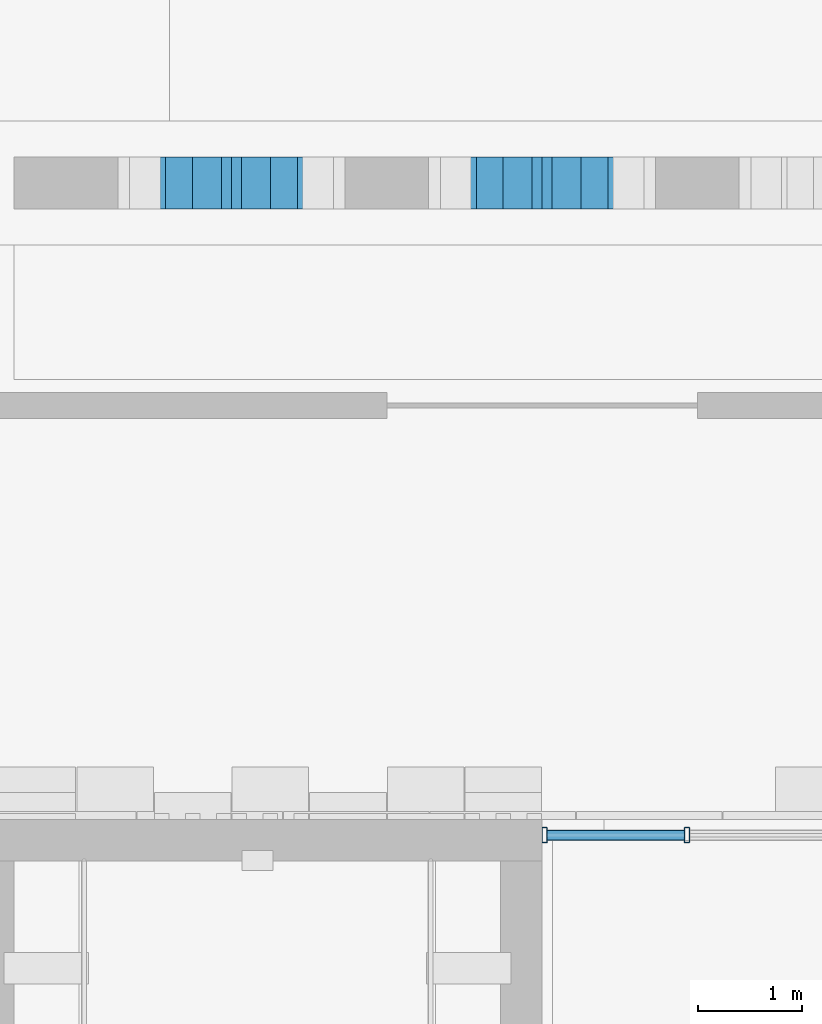
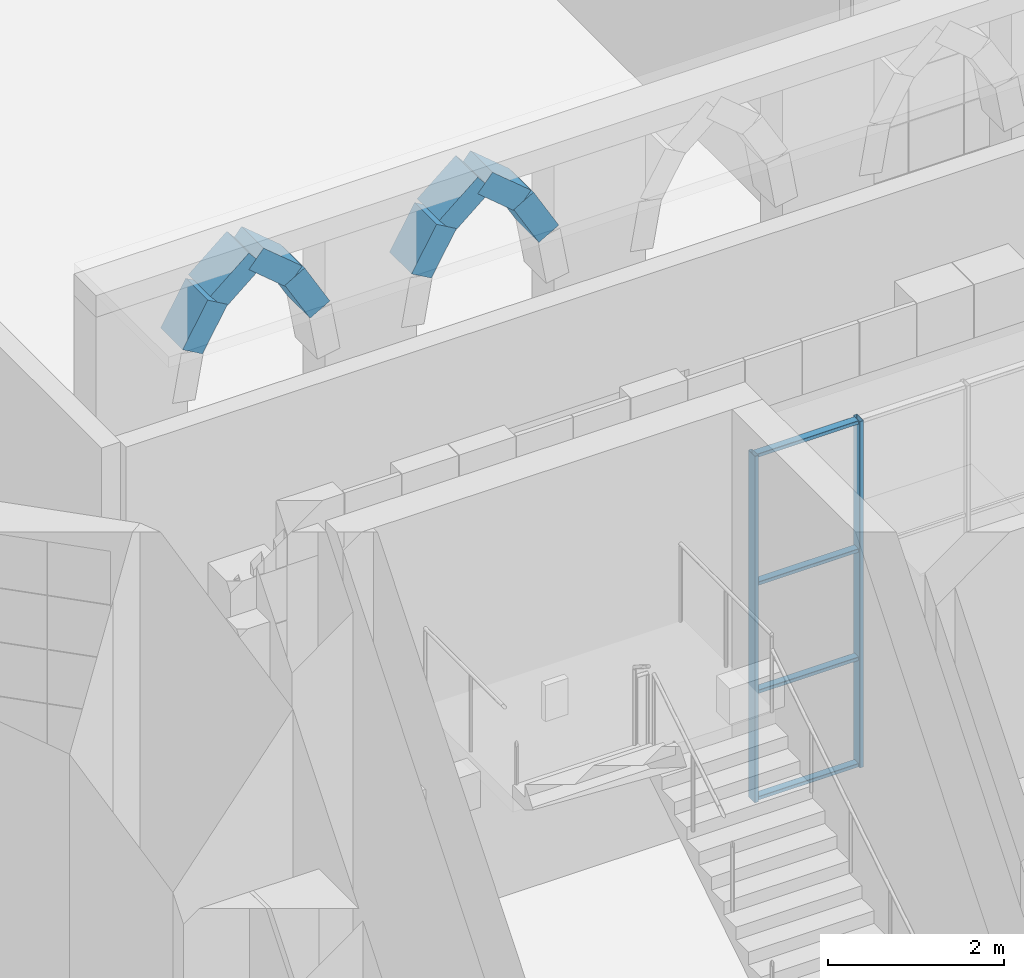
# One storey, part 5 of 125: 14 members, 1 element without a shape of its own.
"""IFC4 building model written with IfcOpenShell, lengths in metres."""

from ifc_helpers import new_model, si_unit, direction, frame, origin, origin_2d, place, context, subcontext, project, spatial, rectangle, hollow_rectangle, extrude, material, material_profile, profile_set, type_object, element, aggregate, save


model = new_model("IFC4")

# Units and contexts
model_context = context("Model", 3, precision=1e-05, world=origin(), true_north=direction((0.0, 1.0)))
body_context = subcontext(model_context, "Body", "Model", "MODEL_VIEW")
ifc_project = project(units=[si_unit("LENGTHUNIT", "METRE"), si_unit("AREAUNIT", "SQUARE_METRE"), si_unit("VOLUMEUNIT", "CUBIC_METRE"), si_unit("PLANEANGLEUNIT", "RADIAN"), si_unit("MASSUNIT", "GRAM", prefix="KILO")], contexts=[model_context])

# Site, building, storey
site_placement = place(None, origin())
site = spatial("IfcSite", under=ifc_project, at=site_placement, CompositionType="ELEMENT")
building_placement = place(site_placement, origin())
building = spatial("IfcBuilding", under=site, at=building_placement, Name="Sun Court Science Centre", CompositionType="ELEMENT")
storey_placement = place(building_placement, origin())
storey = spatial("IfcBuildingStorey", under=building, at=storey_placement, Name="L00", CompositionType="ELEMENT", Elevation=0.0)

# Members
ifc_material_1 = material(Name="Concrete C30/37", Category="concrete")
ifc_material_profile_1 = material_profile(ifc_material_1, rectangle(XDim=0.5, YDim=0.300048828125, at=origin_2d()), Name="RC 500x300")
ifc_profile_set_1 = profile_set([ifc_material_profile_1], Name="Concrete C30/37")
member_type_1 = type_object("IfcMemberType", Name="Arcade arch rib RC 500x300", PredefinedType="MEMBER", material=ifc_profile_set_1)
member_1_placement = place(storey_placement, frame((26.16455078125, 34.14990234375, 3.8798828125), z_axis=(0.500117354631, 0.0, 0.865957638454), x_axis=(0.0, 1.0, 0.0)))
element("IfcMember", 1, at=member_1_placement, inside=storey, type_object=member_type_1, Name="Arcade arch rib AR1 bay 01", PredefinedType="MEMBER", context=body_context, shape_type="SweptSolid", body=[
    extrude(rectangle(XDim=0.5, YDim=0.300048828125, at=origin_2d()), origin(), (0.0, 0.0, 1.0), 0.659912109375),
])
member_2_placement = place(storey_placement, frame((26.49462890625, 34.14990234375, 4.451416015625), z_axis=(0.76603282395, 0.0, 0.642801456619), x_axis=(0.0, 1.0, 0.0)))
element("IfcMember", 2, at=member_2_placement, inside=storey, type_object=member_type_1, Name="Arcade arch rib AR1 bay 01", PredefinedType="MEMBER", context=body_context, shape_type="SweptSolid", body=[
    extrude(rectangle(XDim=0.5, YDim=0.300048828125, at=origin_2d()), origin(), (0.0, 0.0, 1.0), 0.65966796875),
])
member_3_placement = place(storey_placement, frame((27.83544921875, 34.14990234375, 3.8798828125), z_axis=(-0.500117354631, 0.0, 0.865957638454), x_axis=(0.0, -1.0, 0.0)))
element("IfcMember", 3, at=member_3_placement, inside=storey, type_object=member_type_1, Name="Arcade arch rib AR1 bay 01", PredefinedType="MEMBER", context=body_context, shape_type="SweptSolid", body=[
    extrude(rectangle(XDim=0.5, YDim=0.300048828125, at=origin_2d()), origin(), (0.0, 0.0, 1.0), 0.659912109375),
])
member_4_placement = place(storey_placement, frame((27.50537109375, 34.14990234375, 4.451416015625), z_axis=(-0.76603282395, 0.0, 0.642801456619), x_axis=(0.0, -1.0, 0.0)))
element("IfcMember", 4, at=member_4_placement, inside=storey, type_object=member_type_1, Name="Arcade arch rib AR1 bay 01", PredefinedType="MEMBER", context=body_context, shape_type="SweptSolid", body=[
    extrude(rectangle(XDim=0.5, YDim=0.300048828125, at=origin_2d()), origin(), (0.0, 0.0, 1.0), 0.65966796875),
])
member_5_placement = place(storey_placement, frame((29.16455078125, 34.14990234375, 3.8798828125), z_axis=(0.500117354631, 0.0, 0.865957638454), x_axis=(0.0, 1.0, 0.0)))
element("IfcMember", 5, at=member_5_placement, inside=storey, type_object=member_type_1, Name="Arcade arch rib AR1 bay 02", PredefinedType="MEMBER", context=body_context, shape_type="SweptSolid", body=[
    extrude(rectangle(XDim=0.5, YDim=0.300048828125, at=origin_2d()), origin(), (0.0, 0.0, 1.0), 0.659912109375),
])
member_6_placement = place(storey_placement, frame((29.49462890625, 34.14990234375, 4.451416015625), z_axis=(0.76603282395, 0.0, 0.642801456619), x_axis=(0.0, 1.0, 0.0)))
element("IfcMember", 6, at=member_6_placement, inside=storey, type_object=member_type_1, Name="Arcade arch rib AR1 bay 02", PredefinedType="MEMBER", context=body_context, shape_type="SweptSolid", body=[
    extrude(rectangle(XDim=0.5, YDim=0.300048828125, at=origin_2d()), origin(), (0.0, 0.0, 1.0), 0.65966796875),
])
member_7_placement = place(storey_placement, frame((30.83544921875, 34.14990234375, 3.8798828125), z_axis=(-0.500117354631, 0.0, 0.865957638454), x_axis=(0.0, -1.0, 0.0)))
element("IfcMember", 7, at=member_7_placement, inside=storey, type_object=member_type_1, Name="Arcade arch rib AR1 bay 02", PredefinedType="MEMBER", context=body_context, shape_type="SweptSolid", body=[
    extrude(rectangle(XDim=0.5, YDim=0.300048828125, at=origin_2d()), origin(), (0.0, 0.0, 1.0), 0.659912109375),
])
member_8_placement = place(storey_placement, frame((30.50537109375, 34.14990234375, 4.451416015625), z_axis=(-0.76603282395, 0.0, 0.642801456619), x_axis=(0.0, -1.0, 0.0)))
element("IfcMember", 8, at=member_8_placement, inside=storey, type_object=member_type_1, Name="Arcade arch rib AR1 bay 02", PredefinedType="MEMBER", context=body_context, shape_type="SweptSolid", body=[
    extrude(rectangle(XDim=0.5, YDim=0.300048828125, at=origin_2d()), origin(), (0.0, 0.0, 1.0), 0.65966796875),
])

# Curtain wall, members
ifc_material_2 = material(Name="Aluminium EN AW-6063 T6", Category="aluminium")
curtain_wall_type = type_object("IfcCurtainWallType", Name="Court gallery curtain wall 1500", PredefinedType="NOTDEFINED", material=ifc_material_2)
curtain_wall_placement = place(storey_placement, origin())
curtain_wall = element("IfcCurtainWall", 9, at=curtain_wall_placement, inside=storey, type_object=curtain_wall_type, Name="Curtain wall V2 N L00 01", PredefinedType="NOTDEFINED")
ifc_material_3 = material(Name="Aluminium EN AW-6063 T6", Category="aluminium")
ifc_material_profile_2 = material_profile(ifc_material_3, hollow_rectangle(XDim=0.050048828125, YDim=0.14990234375, WallThickness=0.00390625, InnerFilletRadius=0.00390625, OuterFilletRadius=0.006103515625, at=origin_2d()), Name="AL 50x150x4")
ifc_profile_set_2 = profile_set([ifc_material_profile_2], Name="Aluminium EN AW-6063 T6")
member_type_2 = type_object("IfcMemberType", Name="Curtain wall mullion AL 50x150", PredefinedType="MULLION", material=ifc_profile_set_2)
member_9_placement = place(storey_placement, frame((30.02490234375, 27.85009765625, 0.0), z_axis=(0.0, 0.0, 1.0), x_axis=(1.0, 0.0, 0.0)))
member_9 = element("IfcMember", 10, at=member_9_placement, type_object=member_type_2, Name="CW5-01 mullion 1", PredefinedType="MULLION", context=body_context, shape_type="SweptSolid", body=[
    extrude(hollow_rectangle(XDim=0.050048828125, YDim=0.14990234375, WallThickness=0.00390625, InnerFilletRadius=0.00390625, OuterFilletRadius=0.006103515625, at=origin_2d()), origin(), (0.0, 0.0, 1.0), 4.800048828125),
])
member_10_placement = place(storey_placement, frame((31.39990234375, 27.85009765625, 0.0), z_axis=(0.0, 0.0, 1.0), x_axis=(1.0, 0.0, 0.0)))
member_10 = element("IfcMember", 11, at=member_10_placement, type_object=member_type_2, Name="CW5-01 mullion 2", PredefinedType="MULLION", context=body_context, shape_type="SweptSolid", body=[
    extrude(hollow_rectangle(XDim=0.050048828125, YDim=0.14990234375, WallThickness=0.00390625, InnerFilletRadius=0.00390625, OuterFilletRadius=0.006103515625, at=origin_2d()), origin(), (0.0, 0.0, 1.0), 4.800048828125),
])
ifc_material_4 = material(Name="Aluminium EN AW-6063 T6", Category="aluminium")
ifc_material_profile_3 = material_profile(ifc_material_4, hollow_rectangle(XDim=0.050048828125, YDim=0.10009765625, WallThickness=0.00390625, InnerFilletRadius=0.00390625, OuterFilletRadius=0.006103515625, at=origin_2d()), Name="AL 50x100x4")
ifc_profile_set_3 = profile_set([ifc_material_profile_3], Name="Aluminium EN AW-6063 T6")
member_type_3 = type_object("IfcMemberType", Name="Curtain wall transom AL 50x100", PredefinedType="USERDEFINED", material=ifc_profile_set_3)
member_11_placement = place(storey_placement, frame((30.050048828125, 27.85009765625, 0.02490234375), z_axis=(1.0, 0.0, 0.0), x_axis=(0.0, 0.0, 1.0)))
member_11 = element("IfcMember", 12, at=member_11_placement, type_object=member_type_3, Name="CW5-01 transom 1.1", ObjectType="TRANSOM", PredefinedType="USERDEFINED", context=body_context, shape_type="SweptSolid", body=[
    extrude(hollow_rectangle(XDim=0.050048828125, YDim=0.10009765625, WallThickness=0.00390625, InnerFilletRadius=0.00390625, OuterFilletRadius=0.006103515625, at=origin_2d()), origin(), (0.0, 0.0, 1.0), 1.324951171875),
])
member_12_placement = place(storey_placement, frame((30.050048828125, 27.85009765625, 1.5), z_axis=(1.0, 0.0, 0.0), x_axis=(0.0, 0.0, 1.0)))
member_12 = element("IfcMember", 13, at=member_12_placement, type_object=member_type_3, Name="CW5-01 transom 1.2", ObjectType="TRANSOM", PredefinedType="USERDEFINED", context=body_context, shape_type="SweptSolid", body=[
    extrude(hollow_rectangle(XDim=0.050048828125, YDim=0.10009765625, WallThickness=0.00390625, InnerFilletRadius=0.00390625, OuterFilletRadius=0.006103515625, at=origin_2d()), origin(), (0.0, 0.0, 1.0), 1.324951171875),
])
member_13_placement = place(storey_placement, frame((30.050048828125, 27.85009765625, 3.0), z_axis=(1.0, 0.0, 0.0), x_axis=(0.0, 0.0, 1.0)))
member_13 = element("IfcMember", 14, at=member_13_placement, type_object=member_type_3, Name="CW5-01 transom 1.3", ObjectType="TRANSOM", PredefinedType="USERDEFINED", context=body_context, shape_type="SweptSolid", body=[
    extrude(hollow_rectangle(XDim=0.050048828125, YDim=0.10009765625, WallThickness=0.00390625, InnerFilletRadius=0.00390625, OuterFilletRadius=0.006103515625, at=origin_2d()), origin(), (0.0, 0.0, 1.0), 1.324951171875),
])
member_14_placement = place(storey_placement, frame((30.050048828125, 27.85009765625, 4.77490234375), z_axis=(1.0, 0.0, 0.0), x_axis=(0.0, 0.0, 1.0)))
member_14 = element("IfcMember", 15, at=member_14_placement, type_object=member_type_3, Name="CW5-01 transom 1.4", ObjectType="TRANSOM", PredefinedType="USERDEFINED", context=body_context, shape_type="SweptSolid", body=[
    extrude(hollow_rectangle(XDim=0.050048828125, YDim=0.10009765625, WallThickness=0.00390625, InnerFilletRadius=0.00390625, OuterFilletRadius=0.006103515625, at=origin_2d()), origin(), (0.0, 0.0, 1.0), 1.324951171875),
])
aggregate(curtain_wall, [member_9, member_10, member_11, member_12, member_13, member_14])

save(model, "model.ifc")
